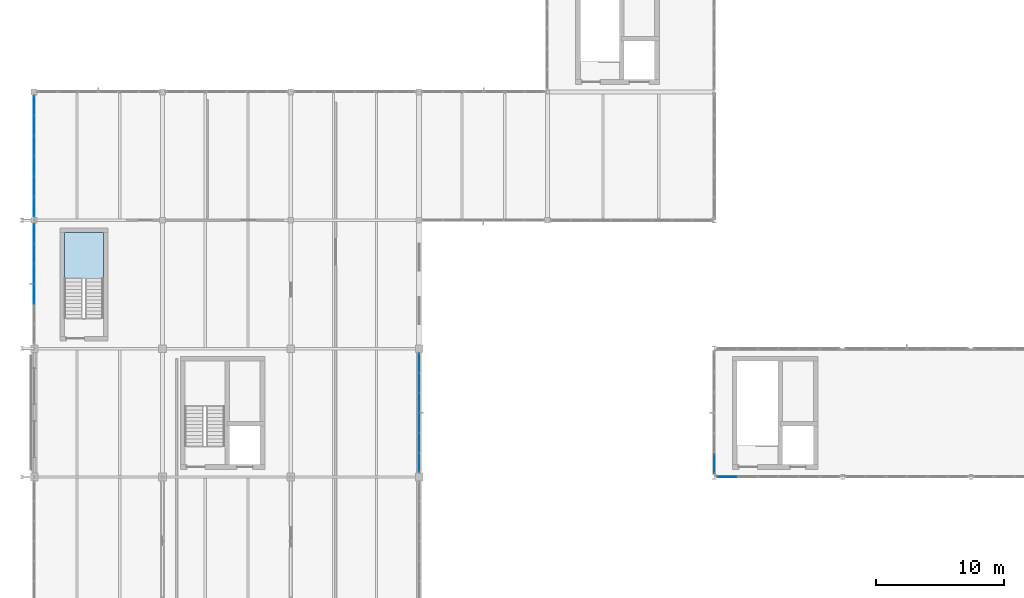
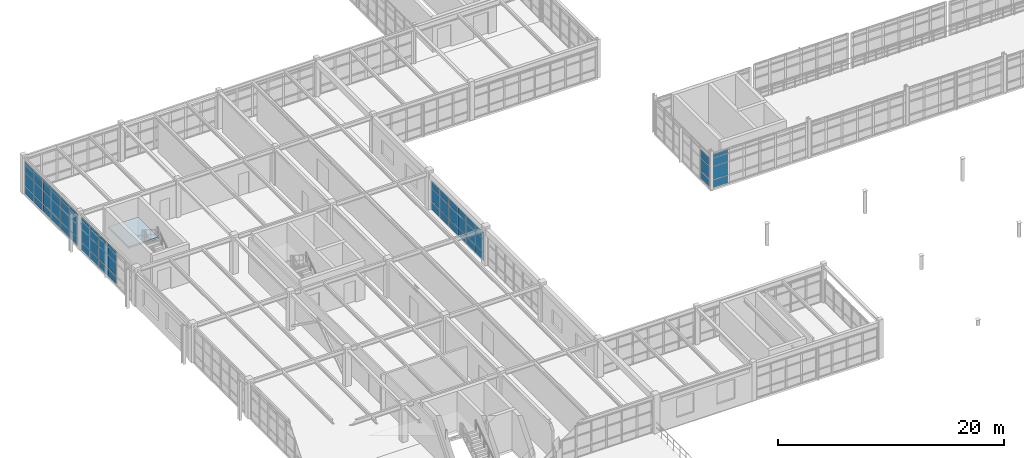
# One storey, part 76 of 122: 65 plates, 1 slab, 6 elements without a shape of their own.
"""IFC4 building model written with IfcOpenShell, lengths in metres."""

from ifc_helpers import new_model, si_unit, direction, frame, origin, origin_2d, place, context, subcontext, project, spatial, polyline, rectangle, outline, extrude, material, layer, layer_set, type_object, element, aggregate, save


model = new_model("IFC4")

# Units and contexts
model_context = context("Model", 3, precision=1e-05, world=origin(), true_north=direction((0.0, 1.0)))
body_context = subcontext(model_context, "Body", "Model", "MODEL_VIEW")
ifc_project = project(units=[si_unit("LENGTHUNIT", "METRE"), si_unit("AREAUNIT", "SQUARE_METRE"), si_unit("VOLUMEUNIT", "CUBIC_METRE"), si_unit("PLANEANGLEUNIT", "RADIAN"), si_unit("MASSUNIT", "GRAM", prefix="KILO"), si_unit("THERMODYNAMICTEMPERATUREUNIT", "KELVIN"), si_unit("POWERUNIT", "WATT")], contexts=[model_context])

# Site, building, storey
site_placement = place(None, origin())
site = spatial("IfcSite", under=ifc_project, at=site_placement, CompositionType="ELEMENT")
building_placement = place(site_placement, origin())
building = spatial("IfcBuilding", under=site, at=building_placement, Name="Korenveer Ferry Terminal", CompositionType="ELEMENT")
storey_placement = place(building_placement, frame((0.0, 0.0, 10.199951171875)))
storey = spatial("IfcBuildingStorey", under=building, at=storey_placement, Name="L02", CompositionType="ELEMENT", Elevation=10.199951171875)

# Curtain wall, plates
ifc_material_1 = material(Name="Unitised bronze-and-glass curtain wall", Category="glass")
ifc_layer_1 = layer(ifc_material_1, 0.159912109375)
ifc_layer_set_1 = layer_set([ifc_layer_1], Name="Unitised bronze-and-glass curtain wall")
curtain_wall_type_1 = type_object("IfcCurtainWallType", Name="ENV-CW-106", PredefinedType="USERDEFINED", material=ifc_layer_set_1)
curtain_wall_1_placement = place(storey_placement, frame((0.0, 60.330078125, 0.0)))
curtain_wall_1 = element("IfcCurtainWall", 1, at=curtain_wall_1_placement, inside=storey, type_object=curtain_wall_type_1, Name="Lancet curtain wall CWX-L02-X0-0-Y60-70", ObjectType="UNITISED CURTAIN WALL", PredefinedType="USERDEFINED")
ifc_material_2 = material(Name="Low-iron solar-control double glazing", Category="glass")
ifc_layer_2 = layer(ifc_material_2, 0.028076171875)
ifc_layer_set_2 = layer_set([ifc_layer_2], Name="Low-iron solar-control double glazing")
plate_type_1 = type_object("IfcPlateType", Name="ENV-CWP-GLZ28", PredefinedType="CURTAIN_PANEL", material=ifc_layer_set_2)
plate_1_placement = place(storey_placement, frame((0.0, 64.2529296875, 0.06005859375), z_axis=(0.0, 0.0, 1.0), x_axis=(0.0, 1.0, 0.0)))
plate_1 = element("IfcPlate", 2, at=plate_1_placement, type_object=plate_type_1, Name="CW-106 panel 3.1", PredefinedType="CURTAIN_PANEL", context=body_context, shape_type="SweptSolid", body=[
    extrude(rectangle(XDim=1.50927734375, YDim=0.028076171875, at=origin_2d()), origin(), (0.0, 0.0, 1.0), 0.81005859375),
])
plate_2_placement = place(storey_placement, frame((0.0, 64.2529296875, 0.93017578125), z_axis=(0.0, 0.0, 1.0), x_axis=(0.0, 1.0, 0.0)))
plate_2 = element("IfcPlate", 3, at=plate_2_placement, type_object=plate_type_1, Name="CW-106 panel 3.2", PredefinedType="CURTAIN_PANEL", context=body_context, shape_type="SweptSolid", body=[
    extrude(rectangle(XDim=1.50927734375, YDim=0.028076171875, at=origin_2d()), origin(), (0.0, 0.0, 1.0), 1.389892578125),
])
plate_3_placement = place(storey_placement, frame((0.0, 64.2529296875, 2.3798828125), z_axis=(0.0, 0.0, 1.0), x_axis=(0.0, 1.0, 0.0)))
plate_3 = element("IfcPlate", 4, at=plate_3_placement, type_object=plate_type_1, Name="CW-106 panel 3.3", PredefinedType="CURTAIN_PANEL", context=body_context, shape_type="SweptSolid", body=[
    extrude(rectangle(XDim=1.50927734375, YDim=0.028076171875, at=origin_2d()), origin(), (0.0, 0.0, 1.0), 0.840087890625),
])
plate_4_placement = place(storey_placement, frame((0.0, 64.2529296875, 3.280029296875), z_axis=(0.0, 0.0, 1.0), x_axis=(0.0, 1.0, 0.0)))
plate_4 = element("IfcPlate", 5, at=plate_4_placement, type_object=plate_type_1, Name="CW-106 panel 3.4", PredefinedType="CURTAIN_PANEL", context=body_context, shape_type="SweptSolid", body=[
    extrude(rectangle(XDim=1.50927734375, YDim=0.028076171875, at=origin_2d()), origin(), (0.0, 0.0, 1.0), 0.330078125),
])
plate_5_placement = place(storey_placement, frame((0.0, 65.822021484375, 0.06005859375), z_axis=(0.0, 0.0, 1.0), x_axis=(0.0, 1.0, 0.0)))
plate_5 = element("IfcPlate", 6, at=plate_5_placement, type_object=plate_type_1, Name="CW-106 panel 4.1", PredefinedType="CURTAIN_PANEL", context=body_context, shape_type="SweptSolid", body=[
    extrude(rectangle(XDim=1.50927734375, YDim=0.028076171875, at=origin_2d()), origin(), (0.0, 0.0, 1.0), 0.81005859375),
])
plate_6_placement = place(storey_placement, frame((0.0, 65.822021484375, 0.93017578125), z_axis=(0.0, 0.0, 1.0), x_axis=(0.0, 1.0, 0.0)))
plate_6 = element("IfcPlate", 7, at=plate_6_placement, type_object=plate_type_1, Name="CW-106 panel 4.2", PredefinedType="CURTAIN_PANEL", context=body_context, shape_type="SweptSolid", body=[
    extrude(rectangle(XDim=1.50927734375, YDim=0.028076171875, at=origin_2d()), origin(), (0.0, 0.0, 1.0), 1.389892578125),
])
plate_7_placement = place(storey_placement, frame((0.0, 65.822021484375, 2.3798828125), z_axis=(0.0, 0.0, 1.0), x_axis=(0.0, 1.0, 0.0)))
plate_7 = element("IfcPlate", 8, at=plate_7_placement, type_object=plate_type_1, Name="CW-106 panel 4.3", PredefinedType="CURTAIN_PANEL", context=body_context, shape_type="SweptSolid", body=[
    extrude(rectangle(XDim=1.50927734375, YDim=0.028076171875, at=origin_2d()), origin(), (0.0, 0.0, 1.0), 0.840087890625),
])
plate_8_placement = place(storey_placement, frame((0.0, 65.822021484375, 3.280029296875), z_axis=(0.0, 0.0, 1.0), x_axis=(0.0, 1.0, 0.0)))
plate_8 = element("IfcPlate", 9, at=plate_8_placement, type_object=plate_type_1, Name="CW-106 panel 4.4", PredefinedType="CURTAIN_PANEL", context=body_context, shape_type="SweptSolid", body=[
    extrude(rectangle(XDim=1.50927734375, YDim=0.028076171875, at=origin_2d()), origin(), (0.0, 0.0, 1.0), 0.330078125),
])
plate_9_placement = place(storey_placement, frame((0.0, 67.391357421875, 0.06005859375), z_axis=(0.0, 0.0, 1.0), x_axis=(0.0, 1.0, 0.0)))
plate_9 = element("IfcPlate", 10, at=plate_9_placement, type_object=plate_type_1, Name="CW-106 panel 5.1", PredefinedType="CURTAIN_PANEL", context=body_context, shape_type="SweptSolid", body=[
    extrude(rectangle(XDim=1.50927734375, YDim=0.028076171875, at=origin_2d()), origin(), (0.0, 0.0, 1.0), 0.81005859375),
])
plate_10_placement = place(storey_placement, frame((0.0, 67.391357421875, 0.93017578125), z_axis=(0.0, 0.0, 1.0), x_axis=(0.0, 1.0, 0.0)))
plate_10 = element("IfcPlate", 11, at=plate_10_placement, type_object=plate_type_1, Name="CW-106 panel 5.2", PredefinedType="CURTAIN_PANEL", context=body_context, shape_type="SweptSolid", body=[
    extrude(rectangle(XDim=1.50927734375, YDim=0.028076171875, at=origin_2d()), origin(), (0.0, 0.0, 1.0), 1.389892578125),
])
plate_11_placement = place(storey_placement, frame((0.0, 67.391357421875, 2.3798828125), z_axis=(0.0, 0.0, 1.0), x_axis=(0.0, 1.0, 0.0)))
plate_11 = element("IfcPlate", 12, at=plate_11_placement, type_object=plate_type_1, Name="CW-106 panel 5.3", PredefinedType="CURTAIN_PANEL", context=body_context, shape_type="SweptSolid", body=[
    extrude(rectangle(XDim=1.50927734375, YDim=0.028076171875, at=origin_2d()), origin(), (0.0, 0.0, 1.0), 0.840087890625),
])
plate_12_placement = place(storey_placement, frame((0.0, 67.391357421875, 3.280029296875), z_axis=(0.0, 0.0, 1.0), x_axis=(0.0, 1.0, 0.0)))
plate_12 = element("IfcPlate", 13, at=plate_12_placement, type_object=plate_type_1, Name="CW-106 panel 5.4", PredefinedType="CURTAIN_PANEL", context=body_context, shape_type="SweptSolid", body=[
    extrude(rectangle(XDim=1.50927734375, YDim=0.028076171875, at=origin_2d()), origin(), (0.0, 0.0, 1.0), 0.330078125),
])
plate_13_placement = place(storey_placement, frame((0.0, 68.9453125, 0.06005859375), z_axis=(0.0, 0.0, 1.0), x_axis=(0.0, 1.0, 0.0)))
plate_13 = element("IfcPlate", 14, at=plate_13_placement, type_object=plate_type_1, Name="CW-106 panel 6.1", PredefinedType="CURTAIN_PANEL", context=body_context, shape_type="SweptSolid", body=[
    extrude(rectangle(XDim=1.479248046875, YDim=0.028076171875, at=origin_2d()), origin(), (0.0, 0.0, 1.0), 0.81005859375),
])
plate_14_placement = place(storey_placement, frame((0.0, 68.9453125, 0.93017578125), z_axis=(0.0, 0.0, 1.0), x_axis=(0.0, 1.0, 0.0)))
plate_14 = element("IfcPlate", 15, at=plate_14_placement, type_object=plate_type_1, Name="CW-106 panel 6.2", PredefinedType="CURTAIN_PANEL", context=body_context, shape_type="SweptSolid", body=[
    extrude(rectangle(XDim=1.479248046875, YDim=0.028076171875, at=origin_2d()), origin(), (0.0, 0.0, 1.0), 1.389892578125),
])
plate_15_placement = place(storey_placement, frame((0.0, 68.9453125, 2.3798828125), z_axis=(0.0, 0.0, 1.0), x_axis=(0.0, 1.0, 0.0)))
plate_15 = element("IfcPlate", 16, at=plate_15_placement, type_object=plate_type_1, Name="CW-106 panel 6.3", PredefinedType="CURTAIN_PANEL", context=body_context, shape_type="SweptSolid", body=[
    extrude(rectangle(XDim=1.479248046875, YDim=0.028076171875, at=origin_2d()), origin(), (0.0, 0.0, 1.0), 0.840087890625),
])
plate_16_placement = place(storey_placement, frame((0.0, 68.9453125, 3.280029296875), z_axis=(0.0, 0.0, 1.0), x_axis=(0.0, 1.0, 0.0)))
plate_16 = element("IfcPlate", 17, at=plate_16_placement, type_object=plate_type_1, Name="CW-106 panel 6.4", PredefinedType="CURTAIN_PANEL", context=body_context, shape_type="SweptSolid", body=[
    extrude(rectangle(XDim=1.479248046875, YDim=0.028076171875, at=origin_2d()), origin(), (0.0, 0.0, 1.0), 0.330078125),
])
aggregate(curtain_wall_1, [plate_1, plate_2, plate_3, plate_4, plate_5, plate_6, plate_7, plate_8, plate_9, plate_10, plate_11, plate_12, plate_13, plate_14, plate_15, plate_16])

ifc_layer_3 = layer(ifc_material_1, 0.159912109375)
ifc_layer_set_3 = layer_set([ifc_layer_3], Name="Unitised bronze-and-glass curtain wall")
curtain_wall_type_2 = type_object("IfcCurtainWallType", Name="ENV-CW-109", PredefinedType="USERDEFINED", material=ifc_layer_set_3)
curtain_wall_2_placement = place(storey_placement, frame((30.0, 59.669921875, 0.0)))
curtain_wall_2 = element("IfcCurtainWall", 18, at=curtain_wall_2_placement, inside=storey, type_object=curtain_wall_type_2, Name="Lancet curtain wall CWX-L02-X30-30-Y50-60", ObjectType="UNITISED CURTAIN WALL", PredefinedType="USERDEFINED")
plate_17_placement = place(storey_placement, frame((30.0, 58.876708984375, 0.06005859375), z_axis=(0.0, 0.0, 1.0), x_axis=(0.0, -1.0, 0.0)))
plate_17 = element("IfcPlate", 19, at=plate_17_placement, type_object=plate_type_1, Name="CW-109 panel 1.1", PredefinedType="CURTAIN_PANEL", context=body_context, shape_type="SweptSolid", body=[
    extrude(rectangle(XDim=1.466552734375, YDim=0.028076171875, at=origin_2d()), origin(), (0.0, 0.0, 1.0), 0.81005859375),
])
plate_18_placement = place(storey_placement, frame((30.0, 58.876708984375, 0.93017578125), z_axis=(0.0, 0.0, 1.0), x_axis=(0.0, -1.0, 0.0)))
plate_18 = element("IfcPlate", 20, at=plate_18_placement, type_object=plate_type_1, Name="CW-109 panel 1.2", PredefinedType="CURTAIN_PANEL", context=body_context, shape_type="SweptSolid", body=[
    extrude(rectangle(XDim=1.466552734375, YDim=0.028076171875, at=origin_2d()), origin(), (0.0, 0.0, 1.0), 1.389892578125),
])
plate_19_placement = place(storey_placement, frame((30.0, 58.876708984375, 2.380126953125), z_axis=(0.0, 0.0, 1.0), x_axis=(0.0, -1.0, 0.0)))
plate_19 = element("IfcPlate", 21, at=plate_19_placement, type_object=plate_type_1, Name="CW-109 panel 1.3", PredefinedType="CURTAIN_PANEL", context=body_context, shape_type="SweptSolid", body=[
    extrude(rectangle(XDim=1.466552734375, YDim=0.028076171875, at=origin_2d()), origin(), (0.0, 0.0, 1.0), 0.72998046875),
])
plate_20_placement = place(storey_placement, frame((30.0, 57.3349609375, 0.06005859375), z_axis=(0.0, 0.0, 1.0), x_axis=(0.0, -1.0, 0.0)))
plate_20 = element("IfcPlate", 22, at=plate_20_placement, type_object=plate_type_1, Name="CW-109 panel 2.1", PredefinedType="CURTAIN_PANEL", context=body_context, shape_type="SweptSolid", body=[
    extrude(rectangle(XDim=1.49658203125, YDim=0.028076171875, at=origin_2d()), origin(), (0.0, 0.0, 1.0), 0.81005859375),
])
plate_21_placement = place(storey_placement, frame((30.0, 57.3349609375, 0.93017578125), z_axis=(0.0, 0.0, 1.0), x_axis=(0.0, -1.0, 0.0)))
plate_21 = element("IfcPlate", 23, at=plate_21_placement, type_object=plate_type_1, Name="CW-109 panel 2.2", PredefinedType="CURTAIN_PANEL", context=body_context, shape_type="SweptSolid", body=[
    extrude(rectangle(XDim=1.49658203125, YDim=0.028076171875, at=origin_2d()), origin(), (0.0, 0.0, 1.0), 1.389892578125),
])
plate_22_placement = place(storey_placement, frame((30.0, 57.3349609375, 2.380126953125), z_axis=(0.0, 0.0, 1.0), x_axis=(0.0, -1.0, 0.0)))
plate_22 = element("IfcPlate", 24, at=plate_22_placement, type_object=plate_type_1, Name="CW-109 panel 2.3", PredefinedType="CURTAIN_PANEL", context=body_context, shape_type="SweptSolid", body=[
    extrude(rectangle(XDim=1.49658203125, YDim=0.028076171875, at=origin_2d()), origin(), (0.0, 0.0, 1.0), 0.72998046875),
])
plate_23_placement = place(storey_placement, frame((30.0, 55.7783203125, 0.06005859375), z_axis=(0.0, 0.0, 1.0), x_axis=(0.0, -1.0, 0.0)))
plate_23 = element("IfcPlate", 25, at=plate_23_placement, type_object=plate_type_1, Name="CW-109 panel 3.1", PredefinedType="CURTAIN_PANEL", context=body_context, shape_type="SweptSolid", body=[
    extrude(rectangle(XDim=1.49658203125, YDim=0.028076171875, at=origin_2d()), origin(), (0.0, 0.0, 1.0), 0.81005859375),
])
plate_24_placement = place(storey_placement, frame((30.0, 55.7783203125, 0.93017578125), z_axis=(0.0, 0.0, 1.0), x_axis=(0.0, -1.0, 0.0)))
plate_24 = element("IfcPlate", 26, at=plate_24_placement, type_object=plate_type_1, Name="CW-109 panel 3.2", PredefinedType="CURTAIN_PANEL", context=body_context, shape_type="SweptSolid", body=[
    extrude(rectangle(XDim=1.49658203125, YDim=0.028076171875, at=origin_2d()), origin(), (0.0, 0.0, 1.0), 1.389892578125),
])
plate_25_placement = place(storey_placement, frame((30.0, 55.7783203125, 2.380126953125), z_axis=(0.0, 0.0, 1.0), x_axis=(0.0, -1.0, 0.0)))
plate_25 = element("IfcPlate", 27, at=plate_25_placement, type_object=plate_type_1, Name="CW-109 panel 3.3", PredefinedType="CURTAIN_PANEL", context=body_context, shape_type="SweptSolid", body=[
    extrude(rectangle(XDim=1.49658203125, YDim=0.028076171875, at=origin_2d()), origin(), (0.0, 0.0, 1.0), 0.72998046875),
])
plate_26_placement = place(storey_placement, frame((30.0, 54.2216796875, 0.06005859375), z_axis=(0.0, 0.0, 1.0), x_axis=(0.0, -1.0, 0.0)))
plate_26 = element("IfcPlate", 28, at=plate_26_placement, type_object=plate_type_1, Name="CW-109 panel 4.1", PredefinedType="CURTAIN_PANEL", context=body_context, shape_type="SweptSolid", body=[
    extrude(rectangle(XDim=1.49658203125, YDim=0.028076171875, at=origin_2d()), origin(), (0.0, 0.0, 1.0), 0.81005859375),
])
plate_27_placement = place(storey_placement, frame((30.0, 54.2216796875, 0.93017578125), z_axis=(0.0, 0.0, 1.0), x_axis=(0.0, -1.0, 0.0)))
plate_27 = element("IfcPlate", 29, at=plate_27_placement, type_object=plate_type_1, Name="CW-109 panel 4.2", PredefinedType="CURTAIN_PANEL", context=body_context, shape_type="SweptSolid", body=[
    extrude(rectangle(XDim=1.49658203125, YDim=0.028076171875, at=origin_2d()), origin(), (0.0, 0.0, 1.0), 1.389892578125),
])
plate_28_placement = place(storey_placement, frame((30.0, 54.2216796875, 2.380126953125), z_axis=(0.0, 0.0, 1.0), x_axis=(0.0, -1.0, 0.0)))
plate_28 = element("IfcPlate", 30, at=plate_28_placement, type_object=plate_type_1, Name="CW-109 panel 4.3", PredefinedType="CURTAIN_PANEL", context=body_context, shape_type="SweptSolid", body=[
    extrude(rectangle(XDim=1.49658203125, YDim=0.028076171875, at=origin_2d()), origin(), (0.0, 0.0, 1.0), 0.72998046875),
])
plate_29_placement = place(storey_placement, frame((30.0, 52.6650390625, 0.06005859375), z_axis=(0.0, 0.0, 1.0), x_axis=(0.0, -1.0, 0.0)))
plate_29 = element("IfcPlate", 31, at=plate_29_placement, type_object=plate_type_1, Name="CW-109 panel 5.1", PredefinedType="CURTAIN_PANEL", context=body_context, shape_type="SweptSolid", body=[
    extrude(rectangle(XDim=1.49658203125, YDim=0.028076171875, at=origin_2d()), origin(), (0.0, 0.0, 1.0), 0.81005859375),
])
plate_30_placement = place(storey_placement, frame((30.0, 52.6650390625, 0.93017578125), z_axis=(0.0, 0.0, 1.0), x_axis=(0.0, -1.0, 0.0)))
plate_30 = element("IfcPlate", 32, at=plate_30_placement, type_object=plate_type_1, Name="CW-109 panel 5.2", PredefinedType="CURTAIN_PANEL", context=body_context, shape_type="SweptSolid", body=[
    extrude(rectangle(XDim=1.49658203125, YDim=0.028076171875, at=origin_2d()), origin(), (0.0, 0.0, 1.0), 1.389892578125),
])
plate_31_placement = place(storey_placement, frame((30.0, 52.6650390625, 2.380126953125), z_axis=(0.0, 0.0, 1.0), x_axis=(0.0, -1.0, 0.0)))
plate_31 = element("IfcPlate", 33, at=plate_31_placement, type_object=plate_type_1, Name="CW-109 panel 5.3", PredefinedType="CURTAIN_PANEL", context=body_context, shape_type="SweptSolid", body=[
    extrude(rectangle(XDim=1.49658203125, YDim=0.028076171875, at=origin_2d()), origin(), (0.0, 0.0, 1.0), 0.72998046875),
])
plate_32_placement = place(storey_placement, frame((30.0, 51.123291015625, 0.06005859375), z_axis=(0.0, 0.0, 1.0), x_axis=(0.0, -1.0, 0.0)))
plate_32 = element("IfcPlate", 34, at=plate_32_placement, type_object=plate_type_1, Name="CW-109 panel 6.1", PredefinedType="CURTAIN_PANEL", context=body_context, shape_type="SweptSolid", body=[
    extrude(rectangle(XDim=1.466552734375, YDim=0.028076171875, at=origin_2d()), origin(), (0.0, 0.0, 1.0), 0.81005859375),
])
plate_33_placement = place(storey_placement, frame((30.0, 51.123291015625, 0.93017578125), z_axis=(0.0, 0.0, 1.0), x_axis=(0.0, -1.0, 0.0)))
plate_33 = element("IfcPlate", 35, at=plate_33_placement, type_object=plate_type_1, Name="CW-109 panel 6.2", PredefinedType="CURTAIN_PANEL", context=body_context, shape_type="SweptSolid", body=[
    extrude(rectangle(XDim=1.466552734375, YDim=0.028076171875, at=origin_2d()), origin(), (0.0, 0.0, 1.0), 1.389892578125),
])
plate_34_placement = place(storey_placement, frame((30.0, 51.123291015625, 2.380126953125), z_axis=(0.0, 0.0, 1.0), x_axis=(0.0, -1.0, 0.0)))
plate_34 = element("IfcPlate", 36, at=plate_34_placement, type_object=plate_type_1, Name="CW-109 panel 6.3", PredefinedType="CURTAIN_PANEL", context=body_context, shape_type="SweptSolid", body=[
    extrude(rectangle(XDim=1.466552734375, YDim=0.028076171875, at=origin_2d()), origin(), (0.0, 0.0, 1.0), 0.72998046875),
])
aggregate(curtain_wall_2, [plate_17, plate_18, plate_19, plate_20, plate_21, plate_22, plate_23, plate_24, plate_25, plate_26, plate_27, plate_28, plate_29, plate_30, plate_31, plate_32, plate_33, plate_34])

ifc_layer_4 = layer(ifc_material_1, 0.219970703125)
ifc_layer_set_4 = layer_set([ifc_layer_4], Name="Unitised bronze-and-glass curtain wall")
curtain_wall_type_3 = type_object("IfcCurtainWallType", Name="ENV-CW-90", PredefinedType="USERDEFINED", material=ifc_layer_set_4)
curtain_wall_3_placement = place(storey_placement, frame((53.179931640625, 50.0, 0.0)))
curtain_wall_3 = element("IfcCurtainWall", 37, at=curtain_wall_3_placement, inside=storey, type_object=curtain_wall_type_3, Name="Lancet curtain wall CWX-L02-X53-63-Y50-50", ObjectType="UNITISED CURTAIN WALL", PredefinedType="USERDEFINED")
ifc_material_3 = material(Name="Acoustic laminated marine glazing", Category="glass")
ifc_layer_5 = layer(ifc_material_3, 0.035888671875)
ifc_layer_set_5 = layer_set([ifc_layer_5], Name="Acoustic laminated marine glazing")
plate_type_2 = type_object("IfcPlateType", Name="ENV-CWP-GLZ36", PredefinedType="CURTAIN_PANEL", material=ifc_layer_set_5)
plate_35_placement = place(storey_placement, frame((54.002197265625, 50.0, 0.074951171875), z_axis=(0.0, 0.0, 1.0), x_axis=(1.0, 0.0, 0.0)))
plate_35 = element("IfcPlate", 38, at=plate_35_placement, type_object=plate_type_2, Name="CW-90 panel 1.1", PredefinedType="CURTAIN_PANEL", context=body_context, shape_type="SweptSolid", body=[
    extrude(rectangle(XDim=1.494140625, YDim=0.035888671875, at=origin_2d()), origin(), (0.0, 0.0, 1.0), 0.78759765625),
])
plate_36_placement = place(storey_placement, frame((54.002197265625, 50.0, 0.9375), z_axis=(0.0, 0.0, 1.0), x_axis=(1.0, 0.0, 0.0)))
plate_36 = element("IfcPlate", 39, at=plate_36_placement, type_object=plate_type_2, Name="CW-90 panel 1.2", PredefinedType="CURTAIN_PANEL", context=body_context, shape_type="SweptSolid", body=[
    extrude(rectangle(XDim=1.494140625, YDim=0.035888671875, at=origin_2d()), origin(), (0.0, 0.0, 1.0), 1.375),
])
plate_37_placement = place(storey_placement, frame((54.002197265625, 50.0, 2.3876953125), z_axis=(0.0, 0.0, 1.0), x_axis=(1.0, 0.0, 0.0)))
plate_37 = element("IfcPlate", 40, at=plate_37_placement, type_object=plate_type_2, Name="CW-90 panel 1.3", PredefinedType="CURTAIN_PANEL", context=body_context, shape_type="SweptSolid", body=[
    extrude(rectangle(XDim=1.494140625, YDim=0.035888671875, at=origin_2d()), origin(), (0.0, 0.0, 1.0), 0.824951171875),
])
plate_38_placement = place(storey_placement, frame((54.002197265625, 50.0, 3.28759765625), z_axis=(0.0, 0.0, 1.0), x_axis=(1.0, 0.0, 0.0)))
plate_38 = element("IfcPlate", 41, at=plate_38_placement, type_object=plate_type_2, Name="CW-90 panel 1.4", PredefinedType="CURTAIN_PANEL", context=body_context, shape_type="SweptSolid", body=[
    extrude(rectangle(XDim=1.494140625, YDim=0.035888671875, at=origin_2d()), origin(), (0.0, 0.0, 1.0), 0.3974609375),
])
aggregate(curtain_wall_3, [plate_35, plate_36, plate_37, plate_38])

ifc_layer_6 = layer(ifc_material_1, 0.219970703125)
ifc_layer_set_6 = layer_set([ifc_layer_6], Name="Unitised bronze-and-glass curtain wall")
curtain_wall_type_4 = type_object("IfcCurtainWallType", Name="ENV-CW-107", PredefinedType="USERDEFINED", material=ifc_layer_set_6)
curtain_wall_4_placement = place(storey_placement, frame((0.0, 70.2548828125, 0.0)))
curtain_wall_4 = element("IfcCurtainWall", 42, at=curtain_wall_4_placement, inside=storey, type_object=curtain_wall_type_4, Name="Lancet curtain wall CWX-L02-X0-0-Y70-80", ObjectType="UNITISED CURTAIN WALL", PredefinedType="USERDEFINED")
plate_39_placement = place(storey_placement, frame((0.0, 71.064697265625, 0.074951171875), z_axis=(0.0, 0.0, 1.0), x_axis=(0.0, 1.0, 0.0)))
plate_39 = element("IfcPlate", 43, at=plate_39_placement, type_object=plate_type_2, Name="CW-107 panel 1.1", PredefinedType="CURTAIN_PANEL", context=body_context, shape_type="SweptSolid", body=[
    extrude(rectangle(XDim=1.46923828125, YDim=0.035888671875, at=origin_2d()), origin(), (0.0, 0.0, 1.0), 0.78759765625),
])
plate_40_placement = place(storey_placement, frame((0.0, 71.064697265625, 0.9375), z_axis=(0.0, 0.0, 1.0), x_axis=(0.0, 1.0, 0.0)))
plate_40 = element("IfcPlate", 44, at=plate_40_placement, type_object=plate_type_2, Name="CW-107 panel 1.2", PredefinedType="CURTAIN_PANEL", context=body_context, shape_type="SweptSolid", body=[
    extrude(rectangle(XDim=1.46923828125, YDim=0.035888671875, at=origin_2d()), origin(), (0.0, 0.0, 1.0), 1.375),
])
plate_41_placement = place(storey_placement, frame((0.0, 71.064697265625, 2.3876953125), z_axis=(0.0, 0.0, 1.0), x_axis=(0.0, 1.0, 0.0)))
plate_41 = element("IfcPlate", 45, at=plate_41_placement, type_object=plate_type_2, Name="CW-107 panel 1.3", PredefinedType="CURTAIN_PANEL", context=body_context, shape_type="SweptSolid", body=[
    extrude(rectangle(XDim=1.46923828125, YDim=0.035888671875, at=origin_2d()), origin(), (0.0, 0.0, 1.0), 0.824951171875),
])
plate_42_placement = place(storey_placement, frame((0.0, 71.064697265625, 3.28759765625), z_axis=(0.0, 0.0, 1.0), x_axis=(0.0, 1.0, 0.0)))
plate_42 = element("IfcPlate", 46, at=plate_42_placement, type_object=plate_type_2, Name="CW-107 panel 1.4", PredefinedType="CURTAIN_PANEL", context=body_context, shape_type="SweptSolid", body=[
    extrude(rectangle(XDim=1.46923828125, YDim=0.035888671875, at=origin_2d()), origin(), (0.0, 0.0, 1.0), 0.237548828125),
])
plate_43_placement = place(storey_placement, frame((0.0, 72.62744140625, 0.074951171875), z_axis=(0.0, 0.0, 1.0), x_axis=(0.0, 1.0, 0.0)))
plate_43 = element("IfcPlate", 47, at=plate_43_placement, type_object=plate_type_2, Name="CW-107 panel 2.1", PredefinedType="CURTAIN_PANEL", context=body_context, shape_type="SweptSolid", body=[
    extrude(rectangle(XDim=1.506591796875, YDim=0.035888671875, at=origin_2d()), origin(), (0.0, 0.0, 1.0), 0.78759765625),
])
plate_44_placement = place(storey_placement, frame((0.0, 72.62744140625, 0.9375), z_axis=(0.0, 0.0, 1.0), x_axis=(0.0, 1.0, 0.0)))
plate_44 = element("IfcPlate", 48, at=plate_44_placement, type_object=plate_type_2, Name="CW-107 panel 2.2", PredefinedType="CURTAIN_PANEL", context=body_context, shape_type="SweptSolid", body=[
    extrude(rectangle(XDim=1.506591796875, YDim=0.035888671875, at=origin_2d()), origin(), (0.0, 0.0, 1.0), 1.375),
])
plate_45_placement = place(storey_placement, frame((0.0, 72.62744140625, 2.3876953125), z_axis=(0.0, 0.0, 1.0), x_axis=(0.0, 1.0, 0.0)))
plate_45 = element("IfcPlate", 49, at=plate_45_placement, type_object=plate_type_2, Name="CW-107 panel 2.3", PredefinedType="CURTAIN_PANEL", context=body_context, shape_type="SweptSolid", body=[
    extrude(rectangle(XDim=1.506591796875, YDim=0.035888671875, at=origin_2d()), origin(), (0.0, 0.0, 1.0), 0.824951171875),
])
plate_46_placement = place(storey_placement, frame((0.0, 72.62744140625, 3.28759765625), z_axis=(0.0, 0.0, 1.0), x_axis=(0.0, 1.0, 0.0)))
plate_46 = element("IfcPlate", 50, at=plate_46_placement, type_object=plate_type_2, Name="CW-107 panel 2.4", PredefinedType="CURTAIN_PANEL", context=body_context, shape_type="SweptSolid", body=[
    extrude(rectangle(XDim=1.506591796875, YDim=0.035888671875, at=origin_2d()), origin(), (0.0, 0.0, 1.0), 0.237548828125),
])
plate_47_placement = place(storey_placement, frame((0.0, 74.209228515625, 0.074951171875), z_axis=(0.0, 0.0, 1.0), x_axis=(0.0, 1.0, 0.0)))
plate_47 = element("IfcPlate", 51, at=plate_47_placement, type_object=plate_type_2, Name="CW-107 panel 3.1", PredefinedType="CURTAIN_PANEL", context=body_context, shape_type="SweptSolid", body=[
    extrude(rectangle(XDim=1.506591796875, YDim=0.035888671875, at=origin_2d()), origin(), (0.0, 0.0, 1.0), 0.78759765625),
])
plate_48_placement = place(storey_placement, frame((0.0, 74.209228515625, 0.9375), z_axis=(0.0, 0.0, 1.0), x_axis=(0.0, 1.0, 0.0)))
plate_48 = element("IfcPlate", 52, at=plate_48_placement, type_object=plate_type_2, Name="CW-107 panel 3.2", PredefinedType="CURTAIN_PANEL", context=body_context, shape_type="SweptSolid", body=[
    extrude(rectangle(XDim=1.506591796875, YDim=0.035888671875, at=origin_2d()), origin(), (0.0, 0.0, 1.0), 1.375),
])
plate_49_placement = place(storey_placement, frame((0.0, 74.209228515625, 2.3876953125), z_axis=(0.0, 0.0, 1.0), x_axis=(0.0, 1.0, 0.0)))
plate_49 = element("IfcPlate", 53, at=plate_49_placement, type_object=plate_type_2, Name="CW-107 panel 3.3", PredefinedType="CURTAIN_PANEL", context=body_context, shape_type="SweptSolid", body=[
    extrude(rectangle(XDim=1.506591796875, YDim=0.035888671875, at=origin_2d()), origin(), (0.0, 0.0, 1.0), 0.824951171875),
])
plate_50_placement = place(storey_placement, frame((0.0, 74.209228515625, 3.28759765625), z_axis=(0.0, 0.0, 1.0), x_axis=(0.0, 1.0, 0.0)))
plate_50 = element("IfcPlate", 54, at=plate_50_placement, type_object=plate_type_2, Name="CW-107 panel 3.4", PredefinedType="CURTAIN_PANEL", context=body_context, shape_type="SweptSolid", body=[
    extrude(rectangle(XDim=1.506591796875, YDim=0.035888671875, at=origin_2d()), origin(), (0.0, 0.0, 1.0), 0.237548828125),
])
plate_51_placement = place(storey_placement, frame((0.0, 75.790771484375, 0.074951171875), z_axis=(0.0, 0.0, 1.0), x_axis=(0.0, 1.0, 0.0)))
plate_51 = element("IfcPlate", 55, at=plate_51_placement, type_object=plate_type_2, Name="CW-107 panel 4.1", PredefinedType="CURTAIN_PANEL", context=body_context, shape_type="SweptSolid", body=[
    extrude(rectangle(XDim=1.506591796875, YDim=0.035888671875, at=origin_2d()), origin(), (0.0, 0.0, 1.0), 0.78759765625),
])
plate_52_placement = place(storey_placement, frame((0.0, 75.790771484375, 0.9375), z_axis=(0.0, 0.0, 1.0), x_axis=(0.0, 1.0, 0.0)))
plate_52 = element("IfcPlate", 56, at=plate_52_placement, type_object=plate_type_2, Name="CW-107 panel 4.2", PredefinedType="CURTAIN_PANEL", context=body_context, shape_type="SweptSolid", body=[
    extrude(rectangle(XDim=1.506591796875, YDim=0.035888671875, at=origin_2d()), origin(), (0.0, 0.0, 1.0), 1.375),
])
plate_53_placement = place(storey_placement, frame((0.0, 75.790771484375, 2.3876953125), z_axis=(0.0, 0.0, 1.0), x_axis=(0.0, 1.0, 0.0)))
plate_53 = element("IfcPlate", 57, at=plate_53_placement, type_object=plate_type_2, Name="CW-107 panel 4.3", PredefinedType="CURTAIN_PANEL", context=body_context, shape_type="SweptSolid", body=[
    extrude(rectangle(XDim=1.506591796875, YDim=0.035888671875, at=origin_2d()), origin(), (0.0, 0.0, 1.0), 0.824951171875),
])
plate_54_placement = place(storey_placement, frame((0.0, 75.790771484375, 3.28759765625), z_axis=(0.0, 0.0, 1.0), x_axis=(0.0, 1.0, 0.0)))
plate_54 = element("IfcPlate", 58, at=plate_54_placement, type_object=plate_type_2, Name="CW-107 panel 4.4", PredefinedType="CURTAIN_PANEL", context=body_context, shape_type="SweptSolid", body=[
    extrude(rectangle(XDim=1.506591796875, YDim=0.035888671875, at=origin_2d()), origin(), (0.0, 0.0, 1.0), 0.237548828125),
])
plate_55_placement = place(storey_placement, frame((0.0, 77.37255859375, 0.074951171875), z_axis=(0.0, 0.0, 1.0), x_axis=(0.0, 1.0, 0.0)))
plate_55 = element("IfcPlate", 59, at=plate_55_placement, type_object=plate_type_2, Name="CW-107 panel 5.1", PredefinedType="CURTAIN_PANEL", context=body_context, shape_type="SweptSolid", body=[
    extrude(rectangle(XDim=1.506591796875, YDim=0.035888671875, at=origin_2d()), origin(), (0.0, 0.0, 1.0), 0.78759765625),
])
plate_56_placement = place(storey_placement, frame((0.0, 77.37255859375, 0.9375), z_axis=(0.0, 0.0, 1.0), x_axis=(0.0, 1.0, 0.0)))
plate_56 = element("IfcPlate", 60, at=plate_56_placement, type_object=plate_type_2, Name="CW-107 panel 5.2", PredefinedType="CURTAIN_PANEL", context=body_context, shape_type="SweptSolid", body=[
    extrude(rectangle(XDim=1.506591796875, YDim=0.035888671875, at=origin_2d()), origin(), (0.0, 0.0, 1.0), 1.375),
])
plate_57_placement = place(storey_placement, frame((0.0, 77.37255859375, 2.3876953125), z_axis=(0.0, 0.0, 1.0), x_axis=(0.0, 1.0, 0.0)))
plate_57 = element("IfcPlate", 61, at=plate_57_placement, type_object=plate_type_2, Name="CW-107 panel 5.3", PredefinedType="CURTAIN_PANEL", context=body_context, shape_type="SweptSolid", body=[
    extrude(rectangle(XDim=1.506591796875, YDim=0.035888671875, at=origin_2d()), origin(), (0.0, 0.0, 1.0), 0.824951171875),
])
plate_58_placement = place(storey_placement, frame((0.0, 77.37255859375, 3.28759765625), z_axis=(0.0, 0.0, 1.0), x_axis=(0.0, 1.0, 0.0)))
plate_58 = element("IfcPlate", 62, at=plate_58_placement, type_object=plate_type_2, Name="CW-107 panel 5.4", PredefinedType="CURTAIN_PANEL", context=body_context, shape_type="SweptSolid", body=[
    extrude(rectangle(XDim=1.506591796875, YDim=0.035888671875, at=origin_2d()), origin(), (0.0, 0.0, 1.0), 0.237548828125),
])
plate_59_placement = place(storey_placement, frame((0.0, 78.935302734375, 0.074951171875), z_axis=(0.0, 0.0, 1.0), x_axis=(0.0, 1.0, 0.0)))
plate_59 = element("IfcPlate", 63, at=plate_59_placement, type_object=plate_type_2, Name="CW-107 panel 6.1", PredefinedType="CURTAIN_PANEL", context=body_context, shape_type="SweptSolid", body=[
    extrude(rectangle(XDim=1.46923828125, YDim=0.035888671875, at=origin_2d()), origin(), (0.0, 0.0, 1.0), 0.78759765625),
])
plate_60_placement = place(storey_placement, frame((0.0, 78.935302734375, 0.9375), z_axis=(0.0, 0.0, 1.0), x_axis=(0.0, 1.0, 0.0)))
plate_60 = element("IfcPlate", 64, at=plate_60_placement, type_object=plate_type_2, Name="CW-107 panel 6.2", PredefinedType="CURTAIN_PANEL", context=body_context, shape_type="SweptSolid", body=[
    extrude(rectangle(XDim=1.46923828125, YDim=0.035888671875, at=origin_2d()), origin(), (0.0, 0.0, 1.0), 1.375),
])
plate_61_placement = place(storey_placement, frame((0.0, 78.935302734375, 2.3876953125), z_axis=(0.0, 0.0, 1.0), x_axis=(0.0, 1.0, 0.0)))
plate_61 = element("IfcPlate", 65, at=plate_61_placement, type_object=plate_type_2, Name="CW-107 panel 6.3", PredefinedType="CURTAIN_PANEL", context=body_context, shape_type="SweptSolid", body=[
    extrude(rectangle(XDim=1.46923828125, YDim=0.035888671875, at=origin_2d()), origin(), (0.0, 0.0, 1.0), 0.824951171875),
])
plate_62_placement = place(storey_placement, frame((0.0, 78.935302734375, 3.28759765625), z_axis=(0.0, 0.0, 1.0), x_axis=(0.0, 1.0, 0.0)))
plate_62 = element("IfcPlate", 66, at=plate_62_placement, type_object=plate_type_2, Name="CW-107 panel 6.4", PredefinedType="CURTAIN_PANEL", context=body_context, shape_type="SweptSolid", body=[
    extrude(rectangle(XDim=1.46923828125, YDim=0.035888671875, at=origin_2d()), origin(), (0.0, 0.0, 1.0), 0.237548828125),
])
aggregate(curtain_wall_4, [plate_39, plate_40, plate_41, plate_42, plate_43, plate_44, plate_45, plate_46, plate_47, plate_48, plate_49, plate_50, plate_51, plate_52, plate_53, plate_54, plate_55, plate_56, plate_57, plate_58, plate_59, plate_60, plate_61, plate_62])

ifc_layer_7 = layer(ifc_material_1, 0.219970703125)
ifc_layer_set_7 = layer_set([ifc_layer_7], Name="Unitised bronze-and-glass curtain wall")
curtain_wall_type_5 = type_object("IfcCurtainWallType", Name="ENV-CW-115", PredefinedType="USERDEFINED", material=ifc_layer_set_7)
curtain_wall_5_placement = place(storey_placement, frame((53.0, 50.2099609375, 0.0)))
curtain_wall_5 = element("IfcCurtainWall", 67, at=curtain_wall_5_placement, inside=storey, type_object=curtain_wall_type_5, Name="Lancet curtain wall CWX-L02-X53-53-Y50-60", ObjectType="UNITISED CURTAIN WALL", PredefinedType="USERDEFINED")
plate_63_placement = place(storey_placement, frame((53.0, 51.027099609375, 0.074951171875), z_axis=(0.0, 0.0, 1.0), x_axis=(0.0, 1.0, 0.0)))
plate_63 = element("IfcPlate", 68, at=plate_63_placement, type_object=plate_type_2, Name="CW-115 panel 1.1", PredefinedType="CURTAIN_PANEL", context=body_context, shape_type="SweptSolid", body=[
    extrude(rectangle(XDim=1.484130859375, YDim=0.035888671875, at=origin_2d()), origin(), (0.0, 0.0, 1.0), 0.78759765625),
])
plate_64_placement = place(storey_placement, frame((53.0, 51.027099609375, 0.9375), z_axis=(0.0, 0.0, 1.0), x_axis=(0.0, 1.0, 0.0)))
plate_64 = element("IfcPlate", 69, at=plate_64_placement, type_object=plate_type_2, Name="CW-115 panel 1.2", PredefinedType="CURTAIN_PANEL", context=body_context, shape_type="SweptSolid", body=[
    extrude(rectangle(XDim=1.484130859375, YDim=0.035888671875, at=origin_2d()), origin(), (0.0, 0.0, 1.0), 1.375),
])
plate_65_placement = place(storey_placement, frame((53.0, 51.027099609375, 2.3876953125), z_axis=(0.0, 0.0, 1.0), x_axis=(0.0, 1.0, 0.0)))
plate_65 = element("IfcPlate", 70, at=plate_65_placement, type_object=plate_type_2, Name="CW-115 panel 1.3", PredefinedType="CURTAIN_PANEL", context=body_context, shape_type="SweptSolid", body=[
    extrude(rectangle(XDim=1.484130859375, YDim=0.035888671875, at=origin_2d()), origin(), (0.0, 0.0, 1.0), 0.824951171875),
])
aggregate(curtain_wall_5, [plate_63, plate_64, plate_65])

# Stair, slab
ifc_material_4 = material(Name="Concrete C40/50", Category="concrete")
stair_type = type_object("IfcStairType", Name="INT-ST-09", PredefinedType="HALF_TURN_STAIR", material=ifc_material_4)
stair_placement = place(storey_placement, frame((4.68994140625, 62.3798828125, 0.0)))
stair = element("IfcStair", 71, at=stair_placement, inside=storey, type_object=stair_type, Name="L02 Harbourmaster North Stair Core K11", PredefinedType="HALF_TURN_STAIR")
ifc_layer_8 = layer(ifc_material_4, 0.199951171875)
ifc_layer_set_8 = layer_set([ifc_layer_8], Name="Concrete C40/50")
slab_type = type_object("IfcSlabType", Name="INT-SL-LAND200", PredefinedType="LANDING", material=ifc_layer_set_8)
slab_placement = place(storey_placement, frame((0.0, 0.0, 1.900146484375)))
slab = element("IfcSlab", 72, at=slab_placement, type_object=slab_type, Name="ST11 landing 1", PredefinedType="LANDING", context=body_context, shape_type="SweptSolid", body=[
    extrude(outline(polyline([(5.39990234375, 65.4599609375), (5.39990234375, 69.0400390625), (2.360107421875, 69.0400390625), (2.360107421875, 65.4599609375), (5.39990234375, 65.4599609375)])), origin(), (0.0, 0.0, 1.0), 0.199951171875),
])
aggregate(stair, [slab])

save(model, "model.ifc")
